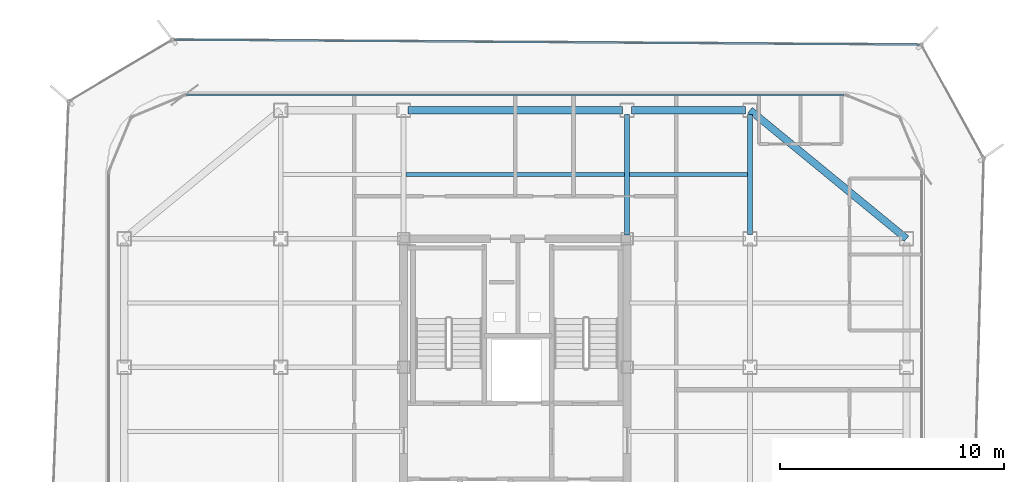
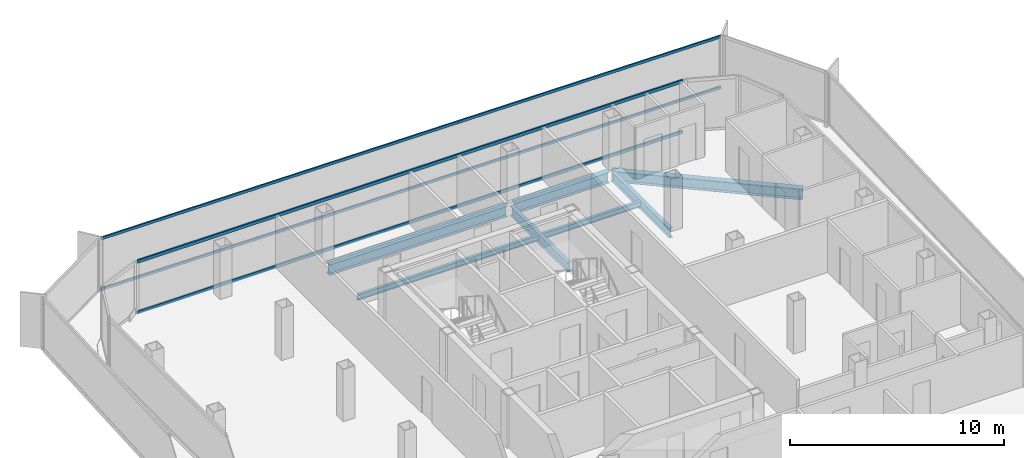
# One storey, part 7 of 15: 7 beams, 4 members, 2 elements without a shape of their own.
"""IFC4 building model written with IfcOpenShell, lengths in metres."""

from ifc_helpers import new_model, si_unit, direction, frame, origin, origin_2d, place, context, subcontext, project, spatial, hollow_rectangle, i_section, extrude, source, transform, mapped, material, layer, layer_set, material_profile, profile_set, type_object, element, aggregate, save


model = new_model("IFC4")

# Units and contexts
model_context = context("Model", 3, precision=1e-05, world=origin(), true_north=direction((0.0, 1.0)))
body_context = subcontext(model_context, "Body", "Model", "MODEL_VIEW")
ifc_project = project(units=[si_unit("LENGTHUNIT", "METRE"), si_unit("AREAUNIT", "SQUARE_METRE"), si_unit("VOLUMEUNIT", "CUBIC_METRE"), si_unit("PLANEANGLEUNIT", "RADIAN"), si_unit("MASSUNIT", "GRAM", prefix="KILO")], contexts=[model_context])

# Site, building, storey
site_placement = place(None, origin())
site = spatial("IfcSite", under=ifc_project, at=site_placement, CompositionType="ELEMENT")
building_placement = place(site_placement, origin())
building = spatial("IfcBuilding", under=site, at=building_placement, Name="Kolveth Station Tower", CompositionType="ELEMENT")
storey_placement = place(building_placement, frame((0.0, 0.0, 268.10009765625)))
storey = spatial("IfcBuildingStorey", under=building, at=storey_placement, Name="L77", CompositionType="ELEMENT", Elevation=268.10009765625)

# Beams
ifc_material_1 = material(Name="Steel S355", Category="steel")
ifc_material_profile_1 = material_profile(ifc_material_1, i_section(OverallWidth=0.323974609375, OverallDepth=0.611083984375, WebThickness=0.0126953125, FlangeThickness=0.01904296875, at=origin_2d()), Name="W610x155")
ifc_profile_set_1 = profile_set([ifc_material_profile_1], Name="Steel S355")
beam_type_1 = type_object("IfcBeamType", Name="Beam_SP2", PredefinedType="SPANDREL", material=ifc_profile_set_1)
shared_shape_1 = source(origin(), body_context, "Body", "SweptSolid", [
    extrude(i_section(OverallWidth=0.323974609375, OverallDepth=0.611083984375, WebThickness=0.0126953125, FlangeThickness=0.01904296875, at=origin_2d()), origin(), (0.0, 0.0, 1.0), 9.058837890625),
])
beam_1_placement = place(storey_placement, frame((41.0, 28.75, -0.525634765625), z_axis=(-0.772726254525, 0.63473942336, 0.0), x_axis=(-0.63473942336, -0.772726254525, 0.0)))
element("IfcBeam", 1, at=beam_1_placement, inside=storey, type_object=beam_type_1, Name="L77 Corner Edge Girder BM-L77-CNR-NE", PredefinedType="SPANDREL", context=body_context, shape_type="MappedRepresentation", body=[
    mapped(shared_shape_1, transform((0.0, 0.0, 0.0), x_axis=(1.0, 0.0, 0.0), y_axis=(0.0, 1.0, 0.0), z_axis=(0.0, 0.0, 1.0), scale=1.0)),
])
shared_shape_2 = source(origin(), body_context, "Body", "SweptSolid", [
    extrude(i_section(OverallWidth=0.323974609375, OverallDepth=0.611083984375, WebThickness=0.0126953125, FlangeThickness=0.01904296875, at=origin_2d()), origin(), (0.0, 0.0, 1.0), 5.10009765625),
])
beam_2_placement = place(storey_placement, frame((28.699951171875, 34.5, -0.525634765625), z_axis=(1.0, 0.0, 0.0), x_axis=(0.0, 1.0, 0.0)))
element("IfcBeam", 2, at=beam_2_placement, inside=storey, type_object=beam_type_1, Name="L77 Perimeter Spandrel BM-L77-PN-3", PredefinedType="SPANDREL", context=body_context, shape_type="MappedRepresentation", body=[
    mapped(shared_shape_2, transform((0.0, 0.0, 0.0), x_axis=(1.0, 0.0, 0.0), y_axis=(0.0, 1.0, 0.0), z_axis=(0.0, 0.0, 1.0), scale=1.0)),
])
shared_shape_3 = source(origin(), body_context, "Body", "SweptSolid", [
    extrude(i_section(OverallWidth=0.323974609375, OverallDepth=0.611083984375, WebThickness=0.0126953125, FlangeThickness=0.01904296875, at=origin_2d()), origin(), (0.0, 0.0, 1.0), 9.60009765625),
])
beam_3_placement = place(storey_placement, frame((18.699951171875, 34.5, -0.525634765625), z_axis=(1.0, 0.0, 0.0), x_axis=(0.0, 1.0, 0.0)))
element("IfcBeam", 3, at=beam_3_placement, inside=storey, type_object=beam_type_1, Name="L77 Perimeter Spandrel BM-L77-PN-2", PredefinedType="SPANDREL", context=body_context, shape_type="MappedRepresentation", body=[
    mapped(shared_shape_3, transform((0.0, 0.0, 0.0), x_axis=(1.0, 0.0, 0.0), y_axis=(0.0, 1.0, 0.0), z_axis=(0.0, 0.0, 1.0), scale=1.0)),
])
ifc_material_profile_2 = material_profile(ifc_material_1, i_section(OverallWidth=0.2099609375, OverallDepth=0.537109375, WebThickness=0.010986328125, FlangeThickness=0.017333984375, at=origin_2d()), Name="W530x101")
ifc_profile_set_2 = profile_set([ifc_material_profile_2], Name="Steel S355")
beam_type_2 = type_object("IfcBeamType", Name="Beam_B6", PredefinedType="BEAM", material=ifc_profile_set_2)
shared_shape_4 = source(origin(), body_context, "Body", "SweptSolid", [
    extrude(i_section(OverallWidth=0.2099609375, OverallDepth=0.537109375, WebThickness=0.010986328125, FlangeThickness=0.017333984375, at=origin_2d()), origin(), (0.0, 0.0, 1.0), 5.35009765625),
])
beam_4_placement = place(storey_placement, frame((34.0, 28.949951171875, -0.488525390625), z_axis=(0.0, 1.0, 0.0), x_axis=(-1.0, 0.0, 0.0)))
element("IfcBeam", 4, at=beam_4_placement, inside=storey, type_object=beam_type_2, Name="L77 Primary Girder BM-L77-GX340-6", PredefinedType="BEAM", context=body_context, shape_type="MappedRepresentation", body=[
    mapped(shared_shape_4, transform((0.0, 0.0, 0.0), x_axis=(1.0, 0.0, 0.0), y_axis=(0.0, 1.0, 0.0), z_axis=(0.0, 0.0, 1.0), scale=1.0)),
])
shared_shape_5 = source(origin(), body_context, "Body", "SweptSolid", [
    extrude(i_section(OverallWidth=0.2099609375, OverallDepth=0.537109375, WebThickness=0.010986328125, FlangeThickness=0.017333984375, at=origin_2d()), origin(), (0.0, 0.0, 1.0), 5.39013671875),
])
beam_5_placement = place(storey_placement, frame((28.5, 28.909912109375, -0.488525390625), z_axis=(0.0, 1.0, 0.0), x_axis=(-1.0, 0.0, 0.0)))
element("IfcBeam", 5, at=beam_5_placement, inside=storey, type_object=beam_type_2, Name="L77 Primary Girder BM-L77-GX285-6", PredefinedType="BEAM", context=body_context, shape_type="MappedRepresentation", body=[
    mapped(shared_shape_5, transform((0.0, 0.0, 0.0), x_axis=(1.0, 0.0, 0.0), y_axis=(0.0, 1.0, 0.0), z_axis=(0.0, 0.0, 1.0), scale=1.0)),
])
ifc_material_profile_3 = material_profile(ifc_material_1, i_section(OverallWidth=0.1650390625, OverallDepth=0.31005859375, WebThickness=0.005859375, FlangeThickness=0.009765625, at=origin_2d()), Name="W310x39")
ifc_profile_set_3 = profile_set([ifc_material_profile_3], Name="Steel S355")
beam_type_3 = type_object("IfcBeamType", Name="Beam_J3", PredefinedType="JOIST", material=ifc_profile_set_3)
shared_shape_6 = source(origin(), body_context, "Body", "SweptSolid", [
    extrude(i_section(OverallWidth=0.1650390625, OverallDepth=0.31005859375, WebThickness=0.005859375, FlangeThickness=0.009765625, at=origin_2d()), origin(), (0.0, 0.0, 1.0), 5.2939453125),
])
beam_6_placement = place(storey_placement, frame((28.60302734375, 31.625, -0.375), z_axis=(1.0, 0.0, 0.0), x_axis=(0.0, 1.0, 0.0)))
element("IfcBeam", 6, at=beam_6_placement, inside=storey, type_object=beam_type_3, Name="L77 Secondary Joist JST-L77-4-6", PredefinedType="JOIST", context=body_context, shape_type="MappedRepresentation", body=[
    mapped(shared_shape_6, transform((0.0, 0.0, 0.0), x_axis=(1.0, 0.0, 0.0), y_axis=(0.0, 1.0, 0.0), z_axis=(0.0, 0.0, 1.0), scale=1.0)),
])
shared_shape_7 = source(origin(), body_context, "Body", "SweptSolid", [
    extrude(i_section(OverallWidth=0.1650390625, OverallDepth=0.31005859375, WebThickness=0.005859375, FlangeThickness=0.009765625, at=origin_2d()), origin(), (0.0, 0.0, 1.0), 9.7939453125),
])
beam_7_placement = place(storey_placement, frame((18.60302734375, 31.625, -0.375), z_axis=(1.0, 0.0, 0.0), x_axis=(0.0, 1.0, 0.0)))
element("IfcBeam", 7, at=beam_7_placement, inside=storey, type_object=beam_type_3, Name="L77 Secondary Joist JST-L77-3-6", PredefinedType="JOIST", context=body_context, shape_type="MappedRepresentation", body=[
    mapped(shared_shape_7, transform((0.0, 0.0, 0.0), x_axis=(1.0, 0.0, 0.0), y_axis=(0.0, 1.0, 0.0), z_axis=(0.0, 0.0, 1.0), scale=1.0)),
])

# Curtain wall, members
ifc_material_2 = material(Name="Aluminium 6063-T6 and triple low-E dark glass", Category="aluminium")
ifc_layer_1 = layer(ifc_material_2, 0.199951171875)
ifc_layer_set_1 = layer_set([ifc_layer_1], Name="Aluminium 6063-T6 and triple low-E dark glass")
curtain_wall_type_1 = type_object("IfcCurtainWallType", Name="CurtainWall_CW-Z3", PredefinedType="NOTDEFINED", material=ifc_layer_set_1)
curtain_wall_1_placement = place(storey_placement, origin())
curtain_wall_1 = element("IfcCurtainWall", 8, at=curtain_wall_1_placement, inside=storey, type_object=curtain_wall_type_1, Name="L77 Inner Thermal Curtain Wall 6", PredefinedType="NOTDEFINED")
ifc_material_3 = material(Name="Black anodized aluminium 6063-T6", Category="aluminium")
ifc_material_profile_4 = material_profile(ifc_material_3, hollow_rectangle(XDim=0.0849609375, YDim=0.179931640625, WallThickness=0.0048828125, at=origin_2d()), Name="ALU-85x180x5")
ifc_profile_set_4 = profile_set([ifc_material_profile_4], Name="Black anodized aluminium 6063-T6")
member_type_1 = type_object("IfcMemberType", Name="Transom_TR3", PredefinedType="USERDEFINED", material=ifc_profile_set_4)
shared_shape_8 = source(origin(), body_context, "Body", "SweptSolid", [
    extrude(hollow_rectangle(XDim=0.0849609375, YDim=0.179931640625, WallThickness=0.0048828125, at=origin_2d()), origin(), (0.0, 0.0, 1.0), 29.43017578125),
])
member_1_placement = place(storey_placement, frame((38.215087890625, 35.179931640625, 0.04248046875), z_axis=(-1.0, 0.0, 0.0), x_axis=(0.0, -1.0, 0.0)))
member_1 = element("IfcMember", 9, at=member_1_placement, type_object=member_type_1, Name="CW-Z3 transom 1.1", ObjectType="TRANSOM", PredefinedType="USERDEFINED", context=body_context, shape_type="MappedRepresentation", body=[
    mapped(shared_shape_8, transform((0.0, 0.0, 0.0), x_axis=(1.0, 0.0, 0.0), y_axis=(0.0, 1.0, 0.0), z_axis=(0.0, 0.0, 1.0), scale=1.0)),
])
member_2_placement = place(storey_placement, frame((38.215087890625, 35.179931640625, 2.9375), z_axis=(-1.0, 0.0, 0.0), x_axis=(0.0, -1.0, 0.0)))
member_2 = element("IfcMember", 10, at=member_2_placement, type_object=member_type_1, Name="CW-Z3 transom 1.2", ObjectType="TRANSOM", PredefinedType="USERDEFINED", context=body_context, shape_type="MappedRepresentation", body=[
    mapped(shared_shape_8, transform((0.0, 0.0, 0.0), x_axis=(1.0, 0.0, 0.0), y_axis=(0.0, 1.0, 0.0), z_axis=(0.0, 0.0, 1.0), scale=1.0)),
])
aggregate(curtain_wall_1, [member_1, member_2])

ifc_material_4 = material(Name="Black anodized aluminium 6063-T6 and dark solar glass", Category="aluminium")
ifc_layer_2 = layer(ifc_material_4, 0.159912109375)
ifc_layer_set_2 = layer_set([ifc_layer_2], Name="Black anodized aluminium 6063-T6 and dark solar glass")
curtain_wall_type_2 = type_object("IfcCurtainWallType", Name="OUTER SKIN CW-OS", PredefinedType="NOTDEFINED", material=ifc_layer_set_2)
curtain_wall_2_placement = place(storey_placement, origin())
curtain_wall_2 = element("IfcCurtainWall", 11, at=curtain_wall_2_placement, inside=storey, type_object=curtain_wall_type_2, Name="L77 Outer Ventilated Skin Curtain Wall 4", PredefinedType="NOTDEFINED")
ifc_material_profile_5 = material_profile(ifc_material_3, hollow_rectangle(XDim=0.080078125, YDim=0.14990234375, WallThickness=0.0048828125, at=origin_2d()), Name="ALU-80x150x5")
ifc_profile_set_5 = profile_set([ifc_material_profile_5], Name="Black anodized aluminium 6063-T6")
member_type_2 = type_object("IfcMemberType", Name="Transom_TR-OS", PredefinedType="USERDEFINED", material=ifc_profile_set_5)
shared_shape_9 = source(origin(), body_context, "Body", "SweptSolid", [
    extrude(hollow_rectangle(XDim=0.080078125, YDim=0.14990234375, WallThickness=0.0048828125, at=origin_2d()), origin(), (0.0, 0.0, 1.0), 33.322021484375),
])
member_3_placement = place(storey_placement, frame((41.574462890625, 37.43212890625, 0.039794921875), z_axis=(-0.999977675504, 0.006681952757, 0.0), x_axis=(-0.006681952757, -0.999977675504, 0.0)))
member_3 = element("IfcMember", 12, at=member_3_placement, type_object=member_type_2, Name="CW-OS transom 1.1", ObjectType="TRANSOM", PredefinedType="USERDEFINED", context=body_context, shape_type="MappedRepresentation", body=[
    mapped(shared_shape_9, transform((0.0, 0.0, 0.0), x_axis=(1.0, 0.0, 0.0), y_axis=(0.0, 1.0, 0.0), z_axis=(0.0, 0.0, 1.0), scale=1.0)),
])
member_4_placement = place(storey_placement, frame((41.574462890625, 37.43212890625, 2.93994140625), z_axis=(-0.999977675504, 0.006681952757, 0.0), x_axis=(-0.006681952757, -0.999977675504, 0.0)))
member_4 = element("IfcMember", 13, at=member_4_placement, type_object=member_type_2, Name="CW-OS transom 1.2", ObjectType="TRANSOM", PredefinedType="USERDEFINED", context=body_context, shape_type="MappedRepresentation", body=[
    mapped(shared_shape_9, transform((0.0, 0.0, 0.0), x_axis=(1.0, 0.0, 0.0), y_axis=(0.0, 1.0, 0.0), z_axis=(0.0, 0.0, 1.0), scale=1.0)),
])
aggregate(curtain_wall_2, [member_3, member_4])

save(model, "model.ifc")
